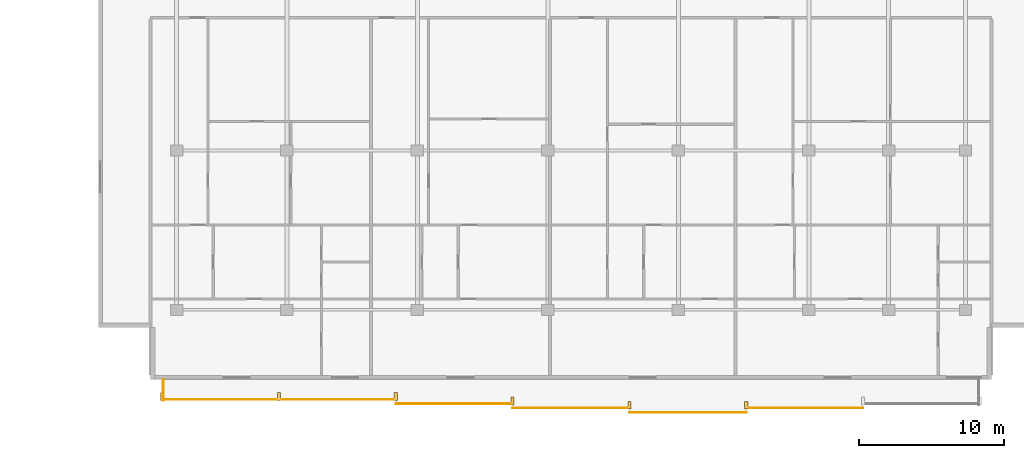
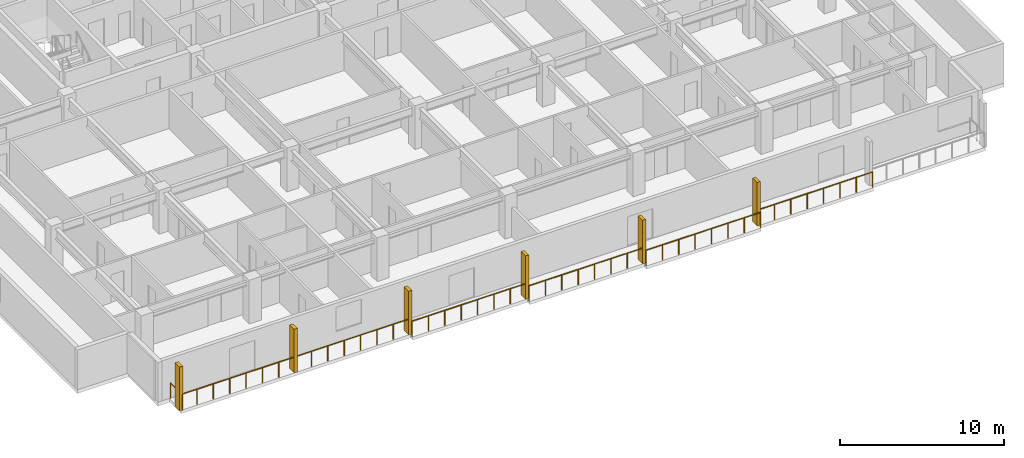
# One storey, part 17 of 21: 6 railings, 6 shading devices.
"""IFC4 building model written with IfcOpenShell, lengths in metres."""

from ifc_helpers import new_model, si_unit, direction, frame, origin, origin_2d, place, context, subcontext, project, spatial, rectangle, circle, extrude, material, type_object, element, save


model = new_model("IFC4")

# Units and contexts
model_context = context("Model", 3, precision=1e-05, world=origin(), true_north=direction((0.0, 1.0)))
body_context = subcontext(model_context, "Body", "Model", "MODEL_VIEW")
ifc_project = project(units=[si_unit("LENGTHUNIT", "METRE"), si_unit("AREAUNIT", "SQUARE_METRE"), si_unit("VOLUMEUNIT", "CUBIC_METRE"), si_unit("PLANEANGLEUNIT", "RADIAN"), si_unit("MASSUNIT", "GRAM", prefix="KILO")], contexts=[model_context])

# Site, building, storey
site_placement = place(None, origin())
site = spatial("IfcSite", under=ifc_project, at=site_placement, CompositionType="ELEMENT")
building_placement = place(site_placement, origin())
building = spatial("IfcBuilding", under=site, at=building_placement, Name="Korimba Cascade Residences", CompositionType="ELEMENT")
storey_placement = place(building_placement, frame((0.0, 0.0, 136.050048828125)))
storey = spatial("IfcBuildingStorey", under=building, at=storey_placement, Name="L39", CompositionType="ELEMENT", Elevation=136.050048828125)

# Railings
ifc_material_1 = material(Name="Laminated Glass and Bronze Balustrade", Category="glass")
railing_type = type_object("IfcRailingType", Name="RLG-LOG-1150", PredefinedType="BALUSTRADE", material=ifc_material_1)
railing_1_placement = place(storey_placement, frame((73.5, -10.3701171875, 0.0)))
element("IfcRailing", 1, at=railing_1_placement, inside=storey, type_object=railing_type, Name="L39 Perimeter Guardrail RLG-L39-T2-LOG-01", PredefinedType="BALUSTRADE", context=body_context, shape_type="SweptSolid", body=[
    extrude(circle(Radius=0.02392578125, at=origin_2d()), frame((0.0, 0.0, 1.1259765625), z_axis=(1.0, 0.0, 0.0), x_axis=(0.0, 1.0, 0.0)), (0.0, 0.0, 1.0), 16.1142578125),
    extrude(circle(Radius=0.02099609375, at=origin_2d()), origin(), (0.0, 0.0, 1.0), 1.101806640625),
    extrude(circle(Radius=0.02099609375, at=origin_2d()), frame((1.151123046875, 0.0, 0.0)), (0.0, 0.0, 1.0), 1.101806640625),
    extrude(circle(Radius=0.02099609375, at=origin_2d()), frame((2.302001953125, 0.0, 0.0)), (0.0, 0.0, 1.0), 1.101806640625),
    extrude(circle(Radius=0.02099609375, at=origin_2d()), frame((3.453125, 0.0, 0.0)), (0.0, 0.0, 1.0), 1.101806640625),
    extrude(circle(Radius=0.02099609375, at=origin_2d()), frame((4.60400390625, 0.0, 0.0)), (0.0, 0.0, 1.0), 1.101806640625),
    extrude(circle(Radius=0.02099609375, at=origin_2d()), frame((5.755126953125, 0.0, 0.0)), (0.0, 0.0, 1.0), 1.101806640625),
    extrude(circle(Radius=0.02099609375, at=origin_2d()), frame((6.906005859375, 0.0, 0.0)), (0.0, 0.0, 1.0), 1.101806640625),
    extrude(circle(Radius=0.02099609375, at=origin_2d()), frame((8.05712890625, 0.0, 0.0)), (0.0, 0.0, 1.0), 1.101806640625),
    extrude(circle(Radius=0.02099609375, at=origin_2d()), frame((9.208251953125, 0.0, 0.0)), (0.0, 0.0, 1.0), 1.101806640625),
    extrude(circle(Radius=0.02099609375, at=origin_2d()), frame((10.359130859375, 0.0, 0.0)), (0.0, 0.0, 1.0), 1.101806640625),
    extrude(circle(Radius=0.02099609375, at=origin_2d()), frame((11.51025390625, 0.0, 0.0)), (0.0, 0.0, 1.0), 1.101806640625),
    extrude(circle(Radius=0.02099609375, at=origin_2d()), frame((12.6611328125, 0.0, 0.0)), (0.0, 0.0, 1.0), 1.101806640625),
    extrude(circle(Radius=0.02099609375, at=origin_2d()), frame((13.812255859375, 0.0, 0.0)), (0.0, 0.0, 1.0), 1.101806640625),
    extrude(circle(Radius=0.02099609375, at=origin_2d()), frame((14.963134765625, 0.0, 0.0)), (0.0, 0.0, 1.0), 1.101806640625),
    extrude(circle(Radius=0.02099609375, at=origin_2d()), frame((16.1142578125, 0.0, 0.0)), (0.0, 0.0, 1.0), 1.101806640625),
])
for number, where, name in (
    (2, (89.6142578125, -10.669921875, 0.0), "L39 Perimeter Guardrail RLG-L39-T2-LOG-02"),
    (3, (97.67138671875, -10.969970703125, 0.0), "L39 Perimeter Guardrail RLG-L39-T2-LOG-03"),
    (4, (105.728515625, -11.27001953125, 0.0), "L39 Perimeter Guardrail RLG-L39-T2-LOG-04"),
):
    element("IfcRailing", number, at=place(storey_placement, frame(where)), inside=storey, type_object=railing_type, Name=name, PredefinedType="BALUSTRADE", context=body_context, shape_type="SweptSolid", body=[
        extrude(circle(Radius=0.02392578125, at=origin_2d()), frame((0.0, 0.0, 1.1259765625), z_axis=(1.0, 0.0, 0.0), x_axis=(0.0, 1.0, 0.0)), (0.0, 0.0, 1.0), 8.05712890625),
        extrude(circle(Radius=0.02099609375, at=origin_2d()), origin(), (0.0, 0.0, 1.0), 1.101806640625),
        extrude(circle(Radius=0.02099609375, at=origin_2d()), frame((1.151123046875, 0.0, 0.0)), (0.0, 0.0, 1.0), 1.101806640625),
        extrude(circle(Radius=0.02099609375, at=origin_2d()), frame((2.302001953125, 0.0, 0.0)), (0.0, 0.0, 1.0), 1.101806640625),
        extrude(circle(Radius=0.02099609375, at=origin_2d()), frame((3.453125, 0.0, 0.0)), (0.0, 0.0, 1.0), 1.101806640625),
        extrude(circle(Radius=0.02099609375, at=origin_2d()), frame((4.60400390625, 0.0, 0.0)), (0.0, 0.0, 1.0), 1.101806640625),
        extrude(circle(Radius=0.02099609375, at=origin_2d()), frame((5.755126953125, 0.0, 0.0)), (0.0, 0.0, 1.0), 1.101806640625),
        extrude(circle(Radius=0.02099609375, at=origin_2d()), frame((6.906005859375, 0.0, 0.0)), (0.0, 0.0, 1.0), 1.101806640625),
        extrude(circle(Radius=0.02099609375, at=origin_2d()), frame((8.05712890625, 0.0, 0.0)), (0.0, 0.0, 1.0), 1.101806640625),
    ])
railing_2_placement = place(storey_placement, frame((113.78564453125, -10.969970703125, 0.0)))
element("IfcRailing", 5, at=railing_2_placement, inside=storey, type_object=railing_type, Name="L39 Perimeter Guardrail RLG-L39-T2-LOG-05", PredefinedType="BALUSTRADE", context=body_context, shape_type="SweptSolid", body=[
    extrude(circle(Radius=0.02392578125, at=origin_2d()), frame((0.0, 0.0, 1.1259765625), z_axis=(1.0, 0.0, 0.0), x_axis=(0.0, 1.0, 0.0)), (0.0, 0.0, 1.0), 8.057373046875),
    extrude(circle(Radius=0.02099609375, at=origin_2d()), origin(), (0.0, 0.0, 1.0), 1.101806640625),
    extrude(circle(Radius=0.02099609375, at=origin_2d()), frame((1.151123046875, 0.0, 0.0)), (0.0, 0.0, 1.0), 1.101806640625),
    extrude(circle(Radius=0.02099609375, at=origin_2d()), frame((2.302001953125, 0.0, 0.0)), (0.0, 0.0, 1.0), 1.101806640625),
    extrude(circle(Radius=0.02099609375, at=origin_2d()), frame((3.453125, 0.0, 0.0)), (0.0, 0.0, 1.0), 1.101806640625),
    extrude(circle(Radius=0.02099609375, at=origin_2d()), frame((4.604248046875, 0.0, 0.0)), (0.0, 0.0, 1.0), 1.101806640625),
    extrude(circle(Radius=0.02099609375, at=origin_2d()), frame((5.75537109375, 0.0, 0.0)), (0.0, 0.0, 1.0), 1.101806640625),
    extrude(circle(Radius=0.02099609375, at=origin_2d()), frame((6.90625, 0.0, 0.0)), (0.0, 0.0, 1.0), 1.101806640625),
    extrude(circle(Radius=0.02099609375, at=origin_2d()), frame((8.057373046875, 0.0, 0.0)), (0.0, 0.0, 1.0), 1.101806640625),
])
railing_3_placement = place(storey_placement, frame((73.580078125, -9.0, 0.0)))
element("IfcRailing", 6, at=railing_3_placement, inside=storey, type_object=railing_type, Name="L39 Perimeter Guardrail RLG-L39-T2-LOG-08", PredefinedType="BALUSTRADE", context=body_context, shape_type="SweptSolid", body=[
    extrude(circle(Radius=0.02392578125, at=origin_2d()), frame((0.0, 0.0, 1.1259765625), z_axis=(0.0, -1.0, 0.0), x_axis=(1.0, 0.0, 0.0)), (0.0, 0.0, 1.0), 1.449951171875),
    extrude(circle(Radius=0.02099609375, at=origin_2d()), origin(), (0.0, 0.0, 1.0), 1.101806640625),
    extrude(circle(Radius=0.02099609375, at=origin_2d()), frame((0.0, -0.72509765625, 0.0)), (0.0, 0.0, 1.0), 1.101806640625),
    extrude(circle(Radius=0.02099609375, at=origin_2d()), frame((0.0, -1.449951171875, 0.0)), (0.0, 0.0, 1.0), 1.101806640625),
])

# Shading devices
ifc_material_2 = material(Name="Honed Sandstone Precast Fin", Category="masonry")
shading_device_type = type_object("IfcShadingDeviceType", Name="SHD-FIN-550", PredefinedType="USERDEFINED", material=ifc_material_2)
for number, where, z_axis, x_axis, name in (
    (7, (73.5, -10.175048828125, 0.0), (0.0, 0.0, 1.0), (1.0, 0.0, 0.0), "L39 T2 Warm-Stone Loggia Fin 1"),
    (8, (81.55712890625, -10.175048828125, 0.0), (0.0, 0.0, 1.0), (1.0, 0.0, 0.0), "L39 T2 Warm-Stone Loggia Fin 2"),
    (9, (89.6142578125, -10.175048828125, 0.0), (0.0, 0.0, 1.0), (1.0, 0.0, 0.0), "L39 T2 Warm-Stone Loggia Fin 3"),
    (10, (97.67138671875, -10.47509765625, 0.0), (0.0, 0.0, 1.0), (1.0, 0.0, 0.0), "L39 T2 Warm-Stone Loggia Fin 4"),
    (11, (105.728515625, -10.77490234375, 0.0), (0.0, 0.0, 1.0), (1.0, 0.0, 0.0), "L39 T2 Warm-Stone Loggia Fin 5"),
    (12, (113.78564453125, -10.77490234375, 0.0), (0.0, 0.0, 1.0), (1.0, 0.0, 0.0), "L39 T2 Warm-Stone Loggia Fin 6"),
):
    element("IfcShadingDevice", number, at=place(storey_placement, frame(where, z_axis=z_axis, x_axis=x_axis)), inside=storey, type_object=shading_device_type, Name=name, ObjectType="FIN", PredefinedType="USERDEFINED", context=body_context, shape_type="SweptSolid", body=[
        extrude(rectangle(XDim=0.219970703125, YDim=0.550048828125, at=origin_2d()), origin(), (0.0, 0.0, 1.0), 3.25),
    ])

save(model, "model.ifc")
